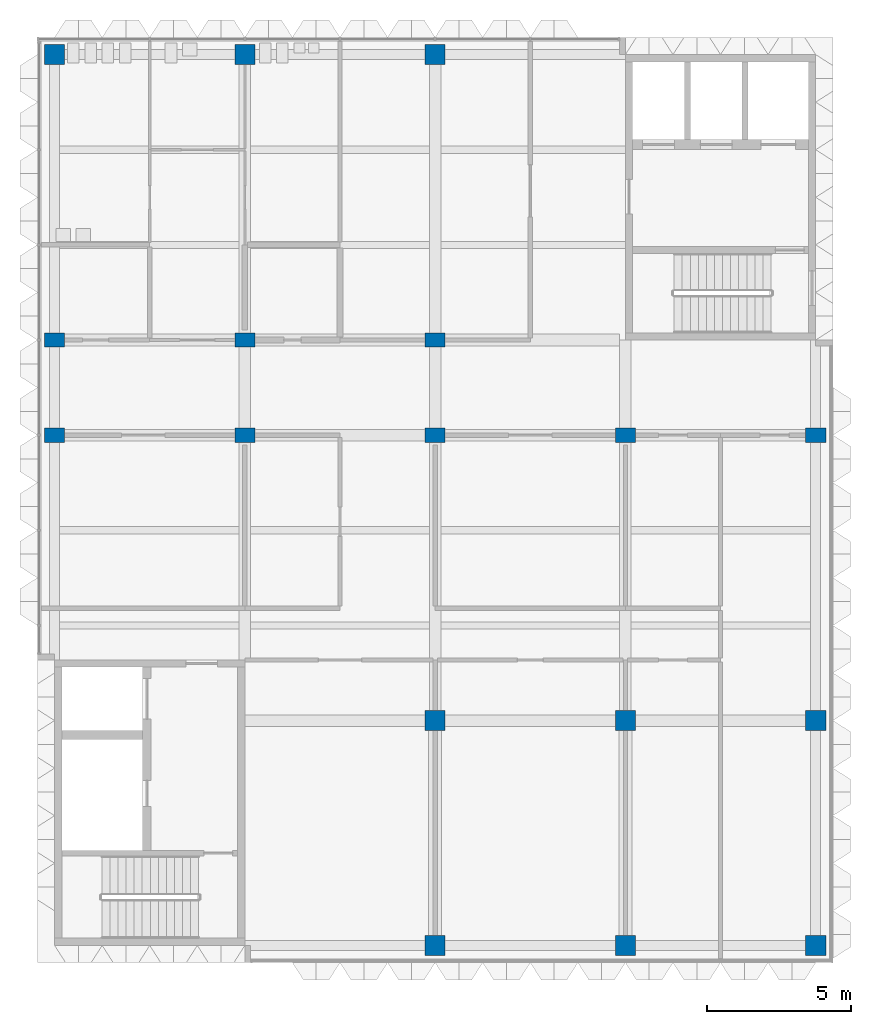
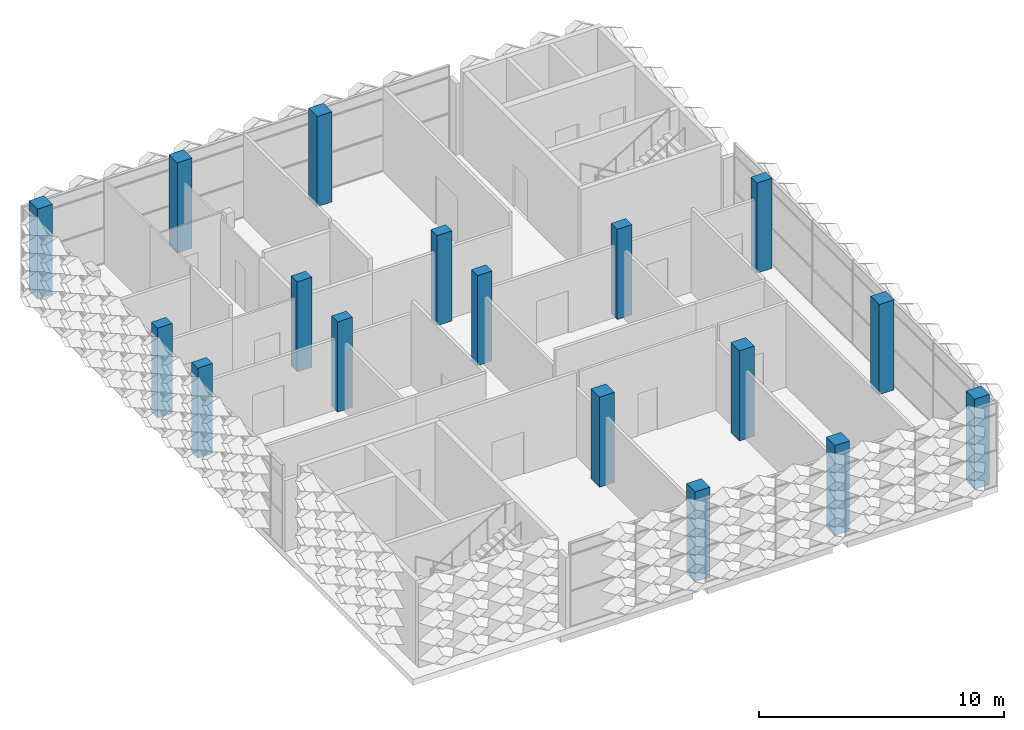
# One storey, part 1 of 28: 17 columns.
"""IFC4 building model written with IfcOpenShell, lengths in metres."""

import ifcopenshell
import ifcopenshell.guid

model = None  # the IFC model being written
_history = None  # IfcOwnerHistory: only IFC2X3 demands one
_inside = {}  # id of a spatial element -> (the spatial element, [elements in it])
_under = {}  # id of a project, library or spatial element -> (it, [spatial elements below it])
_declared = {}  # id of a project -> (the project, [libraries it declares])
_typed = {}  # id of a type object -> (the type object, [elements of that type])
_made_of = {}  # id of a material, layer set ... -> (it, [elements and type objects made of it])


def new_model(schema):
    """Start an empty IFC model of exactly this schema.

    Asked for "IFC4X3", IfcOpenShell would pick the latest addendum, in which some entities
    have other attributes; the version numbers below select the first issue.
    IFC2X3 requires an IfcOwnerHistory on every rooted entity: one is made here for all.
    """
    global model, _history
    if schema == "IFC4X3":
        model = ifcopenshell.file(schema_version=(4, 3, 0, 0))
    else:
        model = ifcopenshell.file(schema=schema)
    _inside.clear()
    _under.clear()
    _declared.clear()
    _typed.clear()
    _made_of.clear()
    _history = None
    if model.schema == "IFC2X3":
        org = make("IfcOrganization", Name="unknown")
        user = make(
            "IfcPersonAndOrganization",
            ThePerson=make("IfcPerson", FamilyName="unknown"),
            TheOrganization=org,
        )
        app = make(
            "IfcApplication",
            ApplicationDeveloper=org,
            Version="unknown",
            ApplicationFullName="unknown",
            ApplicationIdentifier="unknown",
        )
        _history = make(
            "IfcOwnerHistory",
            OwningUser=user,
            OwningApplication=app,
            ChangeAction="ADDED",
            CreationDate=0,
        )
    return model


def make(cls, **values):
    """One entity of the class cls with the attributes given. An attribute that is None is left unset."""
    return model.create_entity(
        cls, **{name: value for name, value in values.items() if value is not None}
    )


def rooted(cls, **values):
    """An entity with a GlobalId (a new one), such as an element, a storey or a relation."""
    return make(cls, GlobalId=ifcopenshell.guid.new(), OwnerHistory=_history, **values)


def si_unit(unit_type, name, prefix=None):
    """IfcSIUnit, for example si_unit("LENGTHUNIT", "METRE", prefix="MILLI")."""
    return make("IfcSIUnit", UnitType=unit_type, Prefix=prefix, Name=name)


def assignment(units):
    """IfcUnitAssignment: the units of a project."""
    return None if units is None else make("IfcUnitAssignment", Units=units)


def point(xyz):
    """IfcCartesianPoint."""
    return None if xyz is None else make("IfcCartesianPoint", Coordinates=xyz)


def direction(xyz):
    """IfcDirection."""
    return None if xyz is None else make("IfcDirection", DirectionRatios=xyz)


def frame(location, z_axis=None, x_axis=None):
    """IfcAxis2Placement3D, a coordinate frame: its origin and axes. An axis left out is left unset."""
    return make(
        "IfcAxis2Placement3D",
        Location=point(location),
        Axis=direction(z_axis),
        RefDirection=direction(x_axis),
    )


def frame_2d(location, x_axis=None):
    """IfcAxis2Placement2D, a coordinate frame in the plane: its origin and x axis."""
    return make(
        "IfcAxis2Placement2D", Location=point(location), RefDirection=direction(x_axis)
    )


def origin():
    """The frame at (0, 0, 0) with its axes left unset."""
    return frame((0.0, 0.0, 0.0))


def origin_2d():
    """The frame at (0, 0) in the plane with its x axis left unset."""
    return frame_2d((0.0, 0.0))


def place(relative_to, where):
    """IfcLocalPlacement: puts the frame where relative to a parent placement (None: the world)."""
    return make(
        "IfcLocalPlacement", PlacementRelTo=relative_to, RelativePlacement=where
    )


def context(
    kind, dimensions, precision=None, world=None, true_north=None, identifier=None
):
    """IfcGeometricRepresentationContext, for example the 3D "Model" context."""
    return make(
        "IfcGeometricRepresentationContext",
        ContextIdentifier=identifier,
        ContextType=kind,
        CoordinateSpaceDimension=dimensions,
        Precision=precision,
        WorldCoordinateSystem=world,
        TrueNorth=true_north,
    )


def subcontext(parent, identifier, kind, view, scale=None):
    """IfcGeometricRepresentationSubContext, for example "Body" below "Model"."""
    return make(
        "IfcGeometricRepresentationSubContext",
        ContextIdentifier=identifier,
        ContextType=kind,
        ParentContext=parent,
        TargetScale=scale,
        TargetView=view,
    )


def project(units=None, contexts=None):
    """IfcProject with its units and contexts."""
    return rooted(
        "IfcProject",
        Name="project",
        RepresentationContexts=contexts,
        UnitsInContext=assignment(units),
    )


def spatial(cls, under=None, at=None, **own):
    """A site, building, storey or space (cls), placed at a placement, below another one or the project."""
    s = rooted(cls, ObjectPlacement=at, **own)
    if under is not None:
        _under.setdefault(under.id(), (under, []))[1].append(s)
    return s


def profile(cls, at=None, kind="AREA", **sizes):
    """A parametric profile (cls). Its sizes go by their IFC names, for example OverallWidth=200.0."""
    return make(cls, ProfileType=kind, Position=at, **sizes)


def rectangle(**sizes):
    """IfcRectangleProfileDef."""
    return profile("IfcRectangleProfileDef", **sizes)


def extrude(swept, where, along, depth):
    """IfcExtrudedAreaSolid: the profile swept, set in the frame where, extruded along a direction by depth."""
    return make(
        "IfcExtrudedAreaSolid",
        SweptArea=swept,
        Position=where,
        ExtrudedDirection=direction(along),
        Depth=depth,
    )


def shape(context_of_items, identifier, shape_type, items):
    """IfcShapeRepresentation: the items that make up one representation, for example the "Body"."""
    return make(
        "IfcShapeRepresentation",
        ContextOfItems=context_of_items,
        RepresentationIdentifier=identifier,
        RepresentationType=shape_type,
        Items=items,
    )


def material(Name=None, Category=None):
    """IfcMaterial."""
    return make("IfcMaterial", Name=Name, Category=Category)


def material_profile(
    of_material, cross_section, Name=None, Category=None, Priority=None
):
    """IfcMaterialProfile: a cross section and its material."""
    return make(
        "IfcMaterialProfile",
        Name=Name,
        Material=of_material,
        Profile=cross_section,
        Priority=Priority,
        Category=Category,
    )


def profile_set(profiles, Name=None, composite=None):
    """IfcMaterialProfileSet."""
    return make(
        "IfcMaterialProfileSet",
        Name=Name,
        MaterialProfiles=profiles,
        CompositeProfile=composite,
    )


def made_of(thing, what):
    """Note that an element or type object is made of a material, layer set ...; save() writes the relation."""
    if what is not None:
        _made_of.setdefault(what.id(), (what, []))[1].append(thing)
    return thing


def type_object(cls, material=None, **own):
    """A type object (cls), such as IfcWallType, which elements share."""
    return made_of(rooted(cls, **own), material)


def element(
    cls,
    number,
    at=None,
    inside=None,
    cuts=None,
    type_object=None,
    material=None,
    context=None,
    identifier="Body",
    shape_type=None,
    held_by="IfcProductDefinitionShape",
    body=None,
    shapes=None,
    **own,
):
    """One element of the class cls, such as IfcWall. Its Tag is "e" and its number.

    at: its placement. inside: the storey or other place that contains it. cuts: it is an
    opening in that element (IfcRelVoidsElement). A single representation is given by context,
    identifier, shape_type and body (its items); several are given by shapes. held_by: the class
    of the entity that holds the representations. save() writes the other relations.
    """
    e = rooted(cls, Tag="e%d" % number, ObjectPlacement=at, **own)
    if body is not None:
        shapes = [shape(context, identifier, shape_type, body)]
    if shapes is not None:
        e.Representation = make(held_by, Representations=shapes)
    if inside is not None:
        _inside.setdefault(inside.id(), (inside, []))[1].append(e)
    if cuts is not None:
        rooted(
            "IfcRelVoidsElement", RelatingBuildingElement=cuts, RelatedOpeningElement=e
        )
    if type_object is not None:
        _typed.setdefault(type_object.id(), (type_object, []))[1].append(e)
    return made_of(e, material)


def aggregate(whole, parts):
    """IfcRelAggregates: a whole, such as a stair, and the parts it consists of."""
    return rooted("IfcRelAggregates", RelatingObject=whole, RelatedObjects=parts)


def save(model, path):
    """Write the relations noted so far, then the file.

    IfcRelAggregates (storeys below a building ...), IfcRelContainedInSpatialStructure (elements
    in a storey), IfcRelDefinesByType, IfcRelAssociatesMaterial and IfcRelDeclares: one each for
    every whole, place, type object, material and project.
    """
    for whole, parts in _under.values():
        aggregate(whole, parts)
    for where, things in _inside.values():
        rooted(
            "IfcRelContainedInSpatialStructure",
            RelatedElements=things,
            RelatingStructure=where,
        )
    for kind, things in _typed.values():
        rooted("IfcRelDefinesByType", RelatedObjects=things, RelatingType=kind)
    for what, things in _made_of.values():
        rooted("IfcRelAssociatesMaterial", RelatedObjects=things, RelatingMaterial=what)
    for by, libraries in _declared.values():
        rooted("IfcRelDeclares", RelatingContext=by, RelatedDefinitions=libraries)
    model.write(path)


model = new_model("IFC4")

# Units and contexts
model_context = context("Model", 3, precision=1e-05, world=origin(), true_north=direction((0.0, 1.0)))
body_context = subcontext(model_context, "Body", "Model", "MODEL_VIEW")
ifc_project = project(units=[si_unit("LENGTHUNIT", "METRE"), si_unit("AREAUNIT", "SQUARE_METRE"), si_unit("VOLUMEUNIT", "CUBIC_METRE"), si_unit("PLANEANGLEUNIT", "RADIAN"), si_unit("MASSUNIT", "GRAM", prefix="KILO")], contexts=[model_context])

# Site, building, storey
site_placement = place(None, origin())
site = spatial("IfcSite", under=ifc_project, at=site_placement, CompositionType="ELEMENT")
building_placement = place(site_placement, origin())
building = spatial("IfcBuilding", under=site, at=building_placement, Name="Lantern Court Research Institute", CompositionType="ELEMENT")
storey_placement = place(building_placement, frame((0.0, 0.0, 36.89990234375)))
storey = spatial("IfcBuildingStorey", under=building, at=storey_placement, Name="L08", CompositionType="ELEMENT", Elevation=36.89990234375)

# Columns
ifc_material_1 = material(Name="Concrete C40/50", Category="concrete")
ifc_material_profile_1 = material_profile(ifc_material_1, rectangle(XDim=0.699951171875, YDim=0.5, at=origin_2d()), Name="RC column 700 x 500")
ifc_profile_set_1 = profile_set([ifc_material_profile_1], Name="Concrete C40/50")
column_type_1 = type_object("IfcColumnType", Name="RC column 700 x 500", PredefinedType="COLUMN", material=ifc_profile_set_1)
for number, where, z_axis, x_axis, name in (
    (1, (52.800048828125, 9.89990234375, 0.0), (0.0, 0.0, 1.0), (1.0, 0.0, 0.0), "Column L08 grid 9/B"),
    (2, (52.800048828125, 13.199951171875, 0.0), (0.0, 0.0, 1.0), (1.0, 0.0, 0.0), "Column L08 grid 9/C"),
    (3, (59.39990234375, 9.89990234375, 0.0), (0.0, 0.0, 1.0), (1.0, 0.0, 0.0), "Column L08 grid 10/B"),
    (4, (59.39990234375, 13.199951171875, 0.0), (0.0, 0.0, 1.0), (1.0, 0.0, 0.0), "Column L08 grid 10/C"),
    (5, (66.0, 9.89990234375, 0.0), (0.0, 0.0, 1.0), (1.0, 0.0, 0.0), "Column L08 grid 11/B"),
    (6, (66.0, 13.199951171875, 0.0), (0.0, 0.0, 1.0), (1.0, 0.0, 0.0), "Column L08 grid 11/C"),
    (7, (72.60009765625, 9.89990234375, 0.0), (0.0, 0.0, 1.0), (1.0, 0.0, 0.0), "Column L08 grid 12/B"),
    (8, (79.199951171875, 9.89990234375, 0.0), (0.0, 0.0, 1.0), (1.0, 0.0, 0.0), "Column L08 grid 13/B"),
):
    element("IfcColumn", number, at=place(storey_placement, frame(where, z_axis=z_axis, x_axis=x_axis)), inside=storey, type_object=column_type_1, Name=name, PredefinedType="COLUMN", context=body_context, shape_type="SweptSolid", body=[
        extrude(rectangle(XDim=0.699951171875, YDim=0.5, at=origin_2d()), origin(), (0.0, 0.0, 1.0), 4.5),
    ])
ifc_material_2 = material(Name="Concrete C40/50", Category="concrete")
ifc_material_profile_2 = material_profile(ifc_material_2, rectangle(XDim=0.699951171875, YDim=0.699951171875, at=origin_2d()), Name="RC column 700 x 700")
ifc_profile_set_2 = profile_set([ifc_material_profile_2], Name="Concrete C40/50")
column_type_2 = type_object("IfcColumnType", Name="RC column 700 x 700", PredefinedType="COLUMN", material=ifc_profile_set_2)
for number, where, z_axis, x_axis, name in (
    (9, (52.800048828125, 23.10009765625, 0.0), (0.0, 0.0, 1.0), (1.0, 0.0, 0.0), "Column L08 grid 9/D"),
    (10, (59.39990234375, 23.10009765625, 0.0), (0.0, 0.0, 1.0), (1.0, 0.0, 0.0), "Column L08 grid 10/D"),
    (11, (66.0, -7.800048828125, 0.0), (0.0, 0.0, 1.0), (1.0, 0.0, 0.0), "Column L08 grid 11/Z"),
    (12, (66.0, 0.0, 0.0), (0.0, 0.0, 1.0), (1.0, 0.0, 0.0), "Column L08 grid 11/A"),
    (13, (66.0, 23.10009765625, 0.0), (0.0, 0.0, 1.0), (1.0, 0.0, 0.0), "Column L08 grid 11/D"),
    (14, (72.60009765625, -7.800048828125, 0.0), (0.0, 0.0, 1.0), (1.0, 0.0, 0.0), "Column L08 grid 12/Z"),
    (15, (72.60009765625, 0.0, 0.0), (0.0, 0.0, 1.0), (1.0, 0.0, 0.0), "Column L08 grid 12/A"),
    (16, (79.199951171875, -7.800048828125, 0.0), (0.0, 0.0, 1.0), (1.0, 0.0, 0.0), "Column L08 grid 13/Z"),
    (17, (79.199951171875, 0.0, 0.0), (0.0, 0.0, 1.0), (1.0, 0.0, 0.0), "Column L08 grid 13/A"),
):
    element("IfcColumn", number, at=place(storey_placement, frame(where, z_axis=z_axis, x_axis=x_axis)), inside=storey, type_object=column_type_2, Name=name, PredefinedType="COLUMN", context=body_context, shape_type="SweptSolid", body=[
        extrude(rectangle(XDim=0.699951171875, YDim=0.699951171875, at=origin_2d()), origin(), (0.0, 0.0, 1.0), 4.5),
    ])

save(model, "model.ifc")
